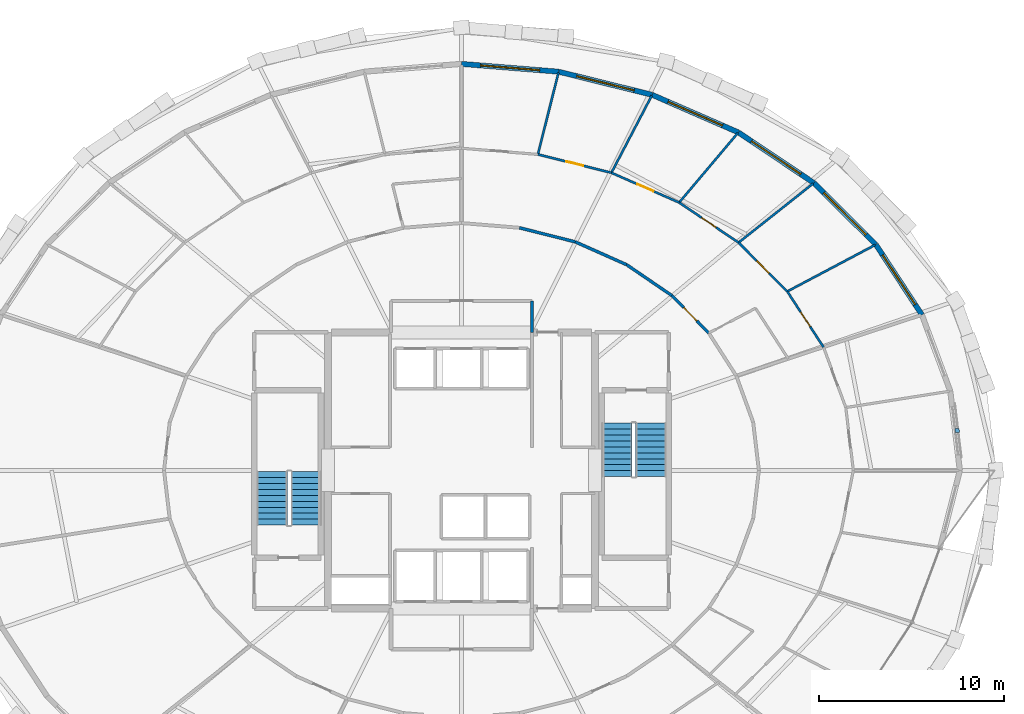
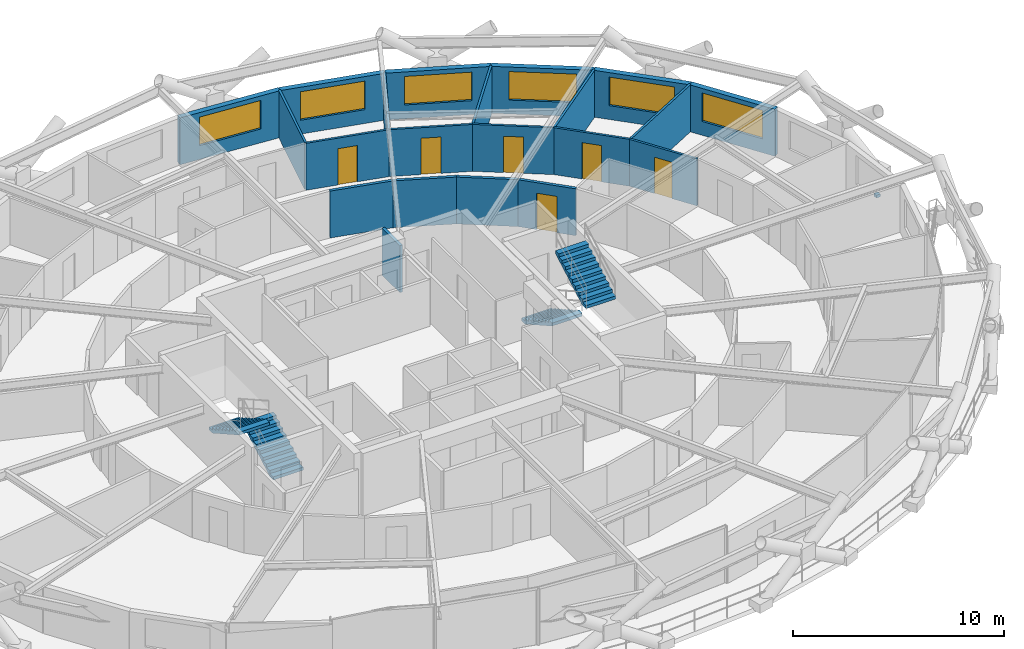
# One storey, part 18 of 21: 21 walls, 6 doors, 6 windows, 4 stair flights, 1 discrete accessory, 12 openings, 2 elements without a shape of their own.
"""IFC4 building model written with IfcOpenShell, lengths in metres."""

from ifc_helpers import new_model, si_unit, direction, frame, frame_2d, origin, origin_2d, place, context, subcontext, project, spatial, polyline, rectangle, outline, extrude, material, layer, layer_set, type_object, element, fill, aggregate, save


model = new_model("IFC4")

# Units and contexts
model_context = context("Model", 3, precision=1e-05, world=origin(), true_north=direction((0.0, 1.0)))
body_context = subcontext(model_context, "Body", "Model", "MODEL_VIEW")
ifc_project = project(units=[si_unit("LENGTHUNIT", "METRE"), si_unit("AREAUNIT", "SQUARE_METRE"), si_unit("VOLUMEUNIT", "CUBIC_METRE"), si_unit("PLANEANGLEUNIT", "RADIAN"), si_unit("MASSUNIT", "GRAM", prefix="KILO")], contexts=[model_context])

# Site, building, storey
site_placement = place(None, origin())
site = spatial("IfcSite", under=ifc_project, at=site_placement, CompositionType="ELEMENT")
building_placement = place(site_placement, origin())
building = spatial("IfcBuilding", under=site, at=building_placement, Name="Veldorina Hangang Commons", CompositionType="ELEMENT")
storey_placement = place(building_placement, frame((0.0, 0.0, 98.800048828125)))
storey = spatial("IfcBuildingStorey", under=building, at=storey_placement, Name="L25", CompositionType="ELEMENT", Elevation=98.800048828125)

# Wall, opening, window
ifc_material_1 = material(Name="Stone Roman Travertine", Category="masonry")
ifc_layer_1 = layer(ifc_material_1, 0.280029296875)
ifc_layer_set_1 = layer_set([ifc_layer_1], Name="Stone Roman Travertine")
wall_type_1 = type_object("IfcWallType", Name="EW-TRAV-280", PredefinedType="STANDARD", material=ifc_layer_set_1)
wall_1_placement = place(storey_placement, frame((56.84765625, 32.3955078125, 0.0), z_axis=(0.0, 0.0, 1.0), x_axis=(-0.548073017765, 0.836430491552, 0.0)))
wall_1 = element("IfcWall", 1, at=wall_1_placement, inside=storey, type_object=wall_type_1, Name="L25 travertine facade wall 02", PredefinedType="STANDARD", context=body_context, shape_type="SweptSolid", body=[
    extrude(rectangle(XDim=4.53466796875, YDim=0.280029296875, at=frame_2d((2.267333984375, 0.0))), origin(), (0.0, 0.0, 1.0), 2.7099609375),
])
opening_1_placement = place(wall_1_placement, frame((0.667236328125, 0.0, 0.800048828125)))
opening_1 = element("IfcOpeningElement", 2, at=opening_1_placement, cuts=wall_1, Name="Opening W-01", PredefinedType="OPENING", context=body_context, shape_type="SweptSolid", body=[
    extrude(rectangle(XDim=3.199951171875, YDim=1.64990234375, at=frame_2d((1.60009765625, 0.824951171875))), frame((0.0, 0.14990234375, 0.0), z_axis=(0.0, -1.0, 0.0), x_axis=(1.0, 0.0, 0.0)), (0.0, 0.0, 1.0), 0.300048828125),
])
ifc_material_2 = material(Name="Glass Low-E Triple IGU", Category="glass")
window_type = type_object("IfcWindowType", Name="WIN-TWR-3200", PartitioningType="SINGLE_PANEL", PredefinedType="WINDOW", material=ifc_material_2)
window_1_placement = place(opening_1_placement, origin())
window_1 = element("IfcWindow", 3, at=window_1_placement, inside=storey, type_object=window_type, Name="L25 facade window 02", OverallHeight=1.64990234375, OverallWidth=3.199951171875, PartitioningType="SINGLE_PANEL", PredefinedType="WINDOW", context=body_context, shape_type="SweptSolid", body=[
    extrude(rectangle(XDim=3.199951171875, YDim=1.64990234375, at=frame_2d((1.60009765625, 0.824951171875))), frame((0.0, 0.030029296875, 0.0), z_axis=(0.0, -1.0, 0.0), x_axis=(1.0, 0.0, 0.0)), (0.0, 0.0, 1.0), 0.06005859375),
])
fill(opening_1, window_1)

wall_2_placement = place(storey_placement, frame((54.3623046875, 36.1884765625, 0.0), z_axis=(0.0, 0.0, 1.0), x_axis=(-0.709251981277, 0.704955053216, 0.0)))
wall_2 = element("IfcWall", 4, at=wall_2_placement, inside=storey, type_object=wall_type_1, Name="L25 travertine facade wall 03", PredefinedType="STANDARD", context=body_context, shape_type="SweptSolid", body=[
    extrude(rectangle(XDim=4.7158203125, YDim=0.280029296875, at=frame_2d((2.35791015625, 0.0))), origin(), (0.0, 0.0, 1.0), 2.7099609375),
])
opening_2_placement = place(wall_2_placement, frame((0.758056640625, 0.0, 0.800048828125)))
opening_2 = element("IfcOpeningElement", 5, at=opening_2_placement, cuts=wall_2, Name="Opening W-01", PredefinedType="OPENING", context=body_context, shape_type="SweptSolid", body=[
    extrude(rectangle(XDim=3.199951171875, YDim=1.64990234375, at=frame_2d((1.60009765625, 0.824951171875))), frame((0.0, 0.14990234375, 0.0), z_axis=(0.0, -1.0, 0.0), x_axis=(1.0, 0.0, 0.0)), (0.0, 0.0, 1.0), 0.300048828125),
])
window_2_placement = place(opening_2_placement, origin())
window_2 = element("IfcWindow", 6, at=window_2_placement, inside=storey, type_object=window_type, Name="L25 facade window 03", OverallHeight=1.64990234375, OverallWidth=3.199951171875, PartitioningType="SINGLE_PANEL", PredefinedType="WINDOW", context=body_context, shape_type="SweptSolid", body=[
    extrude(rectangle(XDim=3.199951171875, YDim=1.64990234375, at=frame_2d((1.60009765625, 0.824951171875))), frame((0.0, 0.030029296875, 0.0), z_axis=(0.0, -1.0, 0.0), x_axis=(1.0, 0.0, 0.0)), (0.0, 0.0, 1.0), 0.06005859375),
])
fill(opening_2, window_2)

wall_3_placement = place(storey_placement, frame((51.017578125, 39.512939453125, 0.0), z_axis=(0.0, 0.0, 1.0), x_axis=(-0.83098422739, 0.556295976822, 0.0)))
wall_3 = element("IfcWall", 7, at=wall_3_placement, inside=storey, type_object=wall_type_1, Name="L25 travertine facade wall 04", PredefinedType="STANDARD", context=body_context, shape_type="SweptSolid", body=[
    extrude(rectangle(XDim=4.904296875, YDim=0.280029296875, at=frame_2d((2.4521484375, 0.0))), origin(), (0.0, 0.0, 1.0), 2.7099609375),
])
opening_3_placement = place(wall_3_placement, frame((0.852294921875, 0.0, 0.800048828125)))
opening_3 = element("IfcOpeningElement", 8, at=opening_3_placement, cuts=wall_3, Name="Opening W-01", PredefinedType="OPENING", context=body_context, shape_type="SweptSolid", body=[
    extrude(rectangle(XDim=3.199951171875, YDim=1.64990234375, at=frame_2d((1.60009765625, 0.824951171875))), frame((0.0, 0.14990234375, 0.0), z_axis=(0.0, -1.0, 0.0), x_axis=(1.0, 0.0, 0.0)), (0.0, 0.0, 1.0), 0.300048828125),
])
window_3_placement = place(opening_3_placement, origin())
window_3 = element("IfcWindow", 9, at=window_3_placement, inside=storey, type_object=window_type, Name="L25 facade window 04", OverallHeight=1.64990234375, OverallWidth=3.199951171875, PartitioningType="SINGLE_PANEL", PredefinedType="WINDOW", context=body_context, shape_type="SweptSolid", body=[
    extrude(rectangle(XDim=3.199951171875, YDim=1.64990234375, at=frame_2d((1.60009765625, 0.824951171875))), frame((0.0, 0.030029296875, 0.0), z_axis=(0.0, -1.0, 0.0), x_axis=(1.0, 0.0, 0.0)), (0.0, 0.0, 1.0), 0.06005859375),
])
fill(opening_3, window_3)

wall_4_placement = place(storey_placement, frame((46.942138671875, 42.2412109375, 0.0), z_axis=(0.0, 0.0, 1.0), x_axis=(-0.9166625106, 0.399662159405, 0.0)))
wall_4 = element("IfcWall", 10, at=wall_4_placement, inside=storey, type_object=wall_type_1, Name="L25 travertine facade wall 05", PredefinedType="STANDARD", context=body_context, shape_type="SweptSolid", body=[
    extrude(rectangle(XDim=5.07275390625, YDim=0.280029296875, at=frame_2d((2.536376953125, 0.0))), origin(), (0.0, 0.0, 1.0), 2.7099609375),
])
opening_4_placement = place(wall_4_placement, frame((0.936279296875, 0.0, 0.800048828125)))
opening_4 = element("IfcOpeningElement", 11, at=opening_4_placement, cuts=wall_4, Name="Opening W-01", PredefinedType="OPENING", context=body_context, shape_type="SweptSolid", body=[
    extrude(rectangle(XDim=3.199951171875, YDim=1.64990234375, at=frame_2d((1.60009765625, 0.824951171875))), frame((0.0, 0.14990234375, 0.0), z_axis=(0.0, -1.0, 0.0), x_axis=(1.0, 0.0, 0.0)), (0.0, 0.0, 1.0), 0.300048828125),
])
window_4_placement = place(opening_4_placement, origin())
window_4 = element("IfcWindow", 12, at=window_4_placement, inside=storey, type_object=window_type, Name="L25 facade window 05", OverallHeight=1.64990234375, OverallWidth=3.199951171875, PartitioningType="SINGLE_PANEL", PredefinedType="WINDOW", context=body_context, shape_type="SweptSolid", body=[
    extrude(rectangle(XDim=3.199951171875, YDim=1.64990234375, at=frame_2d((1.60009765625, 0.824951171875))), frame((0.0, 0.030029296875, 0.0), z_axis=(0.0, -1.0, 0.0), x_axis=(1.0, 0.0, 0.0)), (0.0, 0.0, 1.0), 0.06005859375),
])
fill(opening_4, window_4)

wall_5_placement = place(storey_placement, frame((42.292236328125, 44.2685546875, 0.0), z_axis=(0.0, 0.0, 1.0), x_axis=(-0.970717253555, 0.240224923043, 0.0)))
wall_5 = element("IfcWall", 13, at=wall_5_placement, inside=storey, type_object=wall_type_1, Name="L25 travertine facade wall 06", PredefinedType="STANDARD", context=body_context, shape_type="SweptSolid", body=[
    extrude(rectangle(XDim=5.197265625, YDim=0.280029296875, at=frame_2d((2.5986328125, 0.0))), origin(), (0.0, 0.0, 1.0), 2.7099609375),
])
opening_5_placement = place(wall_5_placement, frame((0.998779296875, 0.0, 0.800048828125)))
opening_5 = element("IfcOpeningElement", 14, at=opening_5_placement, cuts=wall_5, Name="Opening W-01", PredefinedType="OPENING", context=body_context, shape_type="SweptSolid", body=[
    extrude(rectangle(XDim=3.199951171875, YDim=1.64990234375, at=frame_2d((1.60009765625, 0.824951171875))), frame((0.0, 0.14990234375, 0.0), z_axis=(0.0, -1.0, 0.0), x_axis=(1.0, 0.0, 0.0)), (0.0, 0.0, 1.0), 0.300048828125),
])
window_5_placement = place(opening_5_placement, origin())
window_5 = element("IfcWindow", 15, at=window_5_placement, inside=storey, type_object=window_type, Name="L25 facade window 06", OverallHeight=1.64990234375, OverallWidth=3.199951171875, PartitioningType="SINGLE_PANEL", PredefinedType="WINDOW", context=body_context, shape_type="SweptSolid", body=[
    extrude(rectangle(XDim=3.199951171875, YDim=1.64990234375, at=frame_2d((1.60009765625, 0.824951171875))), frame((0.0, 0.030029296875, 0.0), z_axis=(0.0, -1.0, 0.0), x_axis=(1.0, 0.0, 0.0)), (0.0, 0.0, 1.0), 0.06005859375),
])
fill(opening_5, window_5)

wall_6_placement = place(storey_placement, frame((37.2470703125, 45.51708984375, 0.0), z_axis=(0.0, 0.0, 1.0), x_axis=(-0.996790751388, 0.080051220775, 0.0)))
wall_6 = element("IfcWall", 16, at=wall_6_placement, inside=storey, type_object=wall_type_1, Name="L25 travertine facade wall 07", PredefinedType="STANDARD", context=body_context, shape_type="SweptSolid", body=[
    extrude(rectangle(XDim=5.263916015625, YDim=0.280029296875, at=frame_2d((2.6318359375, 0.0))), origin(), (0.0, 0.0, 1.0), 2.7099609375),
])
opening_6_placement = place(wall_6_placement, frame((1.031982421875, 0.0, 0.800048828125)))
opening_6 = element("IfcOpeningElement", 17, at=opening_6_placement, cuts=wall_6, Name="Opening W-01", PredefinedType="OPENING", context=body_context, shape_type="SweptSolid", body=[
    extrude(rectangle(XDim=3.199951171875, YDim=1.64990234375, at=frame_2d((1.60009765625, 0.824951171875))), frame((0.0, 0.14990234375, 0.0), z_axis=(0.0, -1.0, 0.0), x_axis=(1.0, 0.0, 0.0)), (0.0, 0.0, 1.0), 0.300048828125),
])
window_6_placement = place(opening_6_placement, origin())
window_6 = element("IfcWindow", 18, at=window_6_placement, inside=storey, type_object=window_type, Name="L25 facade window 07", OverallHeight=1.64990234375, OverallWidth=3.199951171875, PartitioningType="SINGLE_PANEL", PredefinedType="WINDOW", context=body_context, shape_type="SweptSolid", body=[
    extrude(rectangle(XDim=3.199951171875, YDim=1.64990234375, at=frame_2d((1.60009765625, 0.824951171875))), frame((0.0, 0.030029296875, 0.0), z_axis=(0.0, -1.0, 0.0), x_axis=(1.0, 0.0, 0.0)), (0.0, 0.0, 1.0), 0.06005859375),
])
fill(opening_6, window_6)

# Wall
ifc_material_3 = material(Name="Gypsum Fire-Rated Twin Stud Wall", Category="gypsum")
ifc_layer_2 = layer(ifc_material_3, 0.159912109375)
ifc_layer_set_2 = layer_set([ifc_layer_2], Name="Gypsum Fire-Rated Twin Stud Wall")
wall_type_2 = type_object("IfcWallType", Name="WL-FIRE-160", PredefinedType="SOLIDWALL", material=ifc_layer_set_2)
wall_7_placement = place(storey_placement, frame((35.800048828125, 31.449951171875, 0.0), z_axis=(0.0, 0.0, 1.0), x_axis=(0.0, 1.0, 0.0)))
element("IfcWall", 19, at=wall_7_placement, inside=storey, type_object=wall_type_2, Name="L25 North lobby east wall 033", PredefinedType="SOLIDWALL", context=body_context, shape_type="SweptSolid", body=[
    extrude(rectangle(XDim=1.699951171875, YDim=0.159912109375, at=frame_2d((0.85009765625, 0.0))), origin(), (0.0, 0.0, 1.0), 2.7099609375),
])

# Wall, opening, door
wall_8_placement = place(storey_placement, frame((45.34521484375, 31.4169921875, 0.0), z_axis=(0.0, 0.0, 1.0), x_axis=(-0.702366174226, 0.711815816981, 0.0)))
wall_8 = element("IfcWall", 20, at=wall_8_placement, inside=storey, type_object=wall_type_2, Name="L25 Corridor outer wall 03 048", PredefinedType="SOLIDWALL", context=body_context, shape_type="SweptSolid", body=[
    extrude(rectangle(XDim=2.842041015625, YDim=0.159912109375, at=frame_2d((1.4208984375, 0.0))), origin(), (0.0, 0.0, 1.0), 2.7099609375),
])
opening_7_placement = place(wall_8_placement, frame((0.9208984375, 0.0, 0.0)))
opening_7 = element("IfcOpeningElement", 21, at=opening_7_placement, cuts=wall_8, Name="Opening D-06", PredefinedType="OPENING", context=body_context, shape_type="SweptSolid", body=[
    extrude(rectangle(XDim=1.0, YDim=2.10009765625, at=frame_2d((0.5, 1.050048828125))), frame((0.0, 0.08984375, 0.0), z_axis=(0.0, -1.0, 0.0), x_axis=(1.0, 0.0, 0.0)), (0.0, 0.0, 1.0), 0.179931640625),
])
ifc_material_4 = material(Name="Timber Fire-Rated Entrance Core", Category="wood")
door_type_1 = type_object("IfcDoorType", Name="DR-UNIT-1000", OperationType="SINGLE_SWING_LEFT", PredefinedType="DOOR", material=ifc_material_4)
door_1_placement = place(opening_7_placement, origin())
door_1 = element("IfcDoor", 22, at=door_1_placement, inside=storey, type_object=door_type_1, Name="L25 Cluster 3 entrance door 028", OperationType="SINGLE_SWING_RIGHT", OverallHeight=2.10009765625, OverallWidth=1.0, PredefinedType="DOOR", context=body_context, shape_type="SweptSolid", body=[
    extrude(rectangle(XDim=1.0, YDim=2.10009765625, at=frame_2d((0.5, 1.050048828125))), frame((0.0, 0.02490234375, 0.0), z_axis=(0.0, -1.0, 0.0), x_axis=(1.0, 0.0, 0.0)), (0.0, 0.0, 1.0), 0.050048828125),
])
fill(opening_7, door_1)

# Walls
wall_9_placement = place(storey_placement, frame((43.34912109375, 33.43994140625, 0.0), z_axis=(0.0, 0.0, 1.0), x_axis=(-0.825929039072, 0.563774088104, 0.0)))
element("IfcWall", 23, at=wall_9_placement, inside=storey, type_object=wall_type_2, Name="L25 Corridor outer wall 04 049", PredefinedType="SOLIDWALL", context=body_context, shape_type="SweptSolid", body=[
    extrude(rectangle(XDim=2.94482421875, YDim=0.159912109375, at=frame_2d((1.472412109375, 0.0))), origin(), (0.0, 0.0, 1.0), 2.7099609375),
])
wall_10_placement = place(storey_placement, frame((40.9169921875, 35.10009765625, 0.0), z_axis=(0.0, 0.0, 1.0), x_axis=(-0.913768445178, 0.406235434936, 0.0)))
element("IfcWall", 24, at=wall_10_placement, inside=storey, type_object=wall_type_2, Name="L25 Corridor outer wall 05 050", PredefinedType="SOLIDWALL", context=body_context, shape_type="SweptSolid", body=[
    extrude(rectangle(XDim=3.036865234375, YDim=0.159912109375, at=frame_2d((1.5185546875, 0.0))), origin(), (0.0, 0.0, 1.0), 2.7099609375),
])
wall_11_placement = place(storey_placement, frame((38.14208984375, 36.333740234375, 0.0), z_axis=(0.0, 0.0, 1.0), x_axis=(-0.969608333194, 0.244662380029, 0.0)))
element("IfcWall", 25, at=wall_11_placement, inside=storey, type_object=wall_type_2, Name="L25 Corridor outer wall 06 051", PredefinedType="SOLIDWALL", context=body_context, shape_type="SweptSolid", body=[
    extrude(rectangle(XDim=3.10546875, YDim=0.159912109375, at=frame_2d((1.552734375, 0.0))), origin(), (0.0, 0.0, 1.0), 2.7099609375),
])

# Wall, opening, door
ifc_material_5 = material(Name="Gypsum Acoustic Stud Partition", Category="gypsum")
ifc_layer_3 = layer(ifc_material_5, 0.1201171875)
ifc_layer_set_3 = layer_set([ifc_layer_3], Name="Gypsum Acoustic Stud Partition")
wall_type_3 = type_object("IfcWallType", Name="WL-PART-120", PredefinedType="PARTITIONING", material=ifc_layer_set_3)
wall_12_placement = place(storey_placement, frame((51.537353515625, 30.653564453125, 0.0), z_axis=(0.0, 0.0, 1.0), x_axis=(-0.545045794667, 0.838406274855, 0.0)))
wall_12 = element("IfcWall", 26, at=wall_12_placement, inside=storey, type_object=wall_type_3, Name="L25 Cluster 3 bed 1 front wall 099", PredefinedType="PARTITIONING", context=body_context, shape_type="SweptSolid", body=[
    extrude(rectangle(XDim=3.585205078125, YDim=0.1201171875, at=frame_2d((1.79248046875, 0.0))), origin(), (0.0, 0.0, 1.0), 2.7099609375),
])
opening_8_placement = place(wall_12_placement, frame((1.317626953125, 0.0, 0.0)))
opening_8 = element("IfcOpeningElement", 27, at=opening_8_placement, cuts=wall_12, Name="Opening D-02", PredefinedType="OPENING", context=body_context, shape_type="SweptSolid", body=[
    extrude(rectangle(XDim=0.949951171875, YDim=2.10009765625, at=frame_2d((0.47509765625, 1.050048828125))), frame((0.0, 0.070068359375, 0.0), z_axis=(0.0, -1.0, 0.0), x_axis=(1.0, 0.0, 0.0)), (0.0, 0.0, 1.0), 0.14013671875),
])
ifc_material_6 = material(Name="Timber Solid Core Acoustic", Category="wood")
door_type_2 = type_object("IfcDoorType", Name="DR-INT-950", OperationType="SINGLE_SWING_LEFT", PredefinedType="DOOR", material=ifc_material_6)
door_2_placement = place(opening_8_placement, origin())
door_2 = element("IfcDoor", 28, at=door_2_placement, inside=storey, type_object=door_type_2, Name="L25 Cluster 3 bed 1 door 029", OperationType="SINGLE_SWING_LEFT", OverallHeight=2.10009765625, OverallWidth=0.949951171875, PredefinedType="DOOR", context=body_context, shape_type="SweptSolid", body=[
    extrude(rectangle(XDim=0.949951171875, YDim=2.10009765625, at=frame_2d((0.47509765625, 1.050048828125))), frame((0.0, 0.02490234375, 0.0), z_axis=(0.0, -1.0, 0.0), x_axis=(1.0, 0.0, 0.0)), (0.0, 0.0, 1.0), 0.050048828125),
])
fill(opening_8, door_2)

wall_13_placement = place(storey_placement, frame((49.583251953125, 33.659423828125, 0.0), z_axis=(0.0, 0.0, 1.0), x_axis=(-0.706450655804, 0.707762298314, 0.0)))
wall_13 = element("IfcWall", 29, at=wall_13_placement, inside=storey, type_object=wall_type_3, Name="L25 Cluster 3 bed 2 front wall 100", PredefinedType="PARTITIONING", context=body_context, shape_type="SweptSolid", body=[
    extrude(rectangle(XDim=3.72265625, YDim=0.1201171875, at=frame_2d((1.861328125, 0.0))), origin(), (0.0, 0.0, 1.0), 2.7099609375),
])
opening_9_placement = place(wall_13_placement, frame((1.38623046875, 0.0, 0.0)))
opening_9 = element("IfcOpeningElement", 30, at=opening_9_placement, cuts=wall_13, Name="Opening D-02", PredefinedType="OPENING", context=body_context, shape_type="SweptSolid", body=[
    extrude(rectangle(XDim=0.949951171875, YDim=2.10009765625, at=frame_2d((0.47509765625, 1.050048828125))), frame((0.0, 0.070068359375, 0.0), z_axis=(0.0, -1.0, 0.0), x_axis=(1.0, 0.0, 0.0)), (0.0, 0.0, 1.0), 0.14013671875),
])
door_3_placement = place(opening_9_placement, origin())
door_3 = element("IfcDoor", 31, at=door_3_placement, inside=storey, type_object=door_type_2, Name="L25 Cluster 3 bed 2 door 030", OperationType="SINGLE_SWING_RIGHT", OverallHeight=2.10009765625, OverallWidth=0.949951171875, PredefinedType="DOOR", context=body_context, shape_type="SweptSolid", body=[
    extrude(rectangle(XDim=0.949951171875, YDim=2.10009765625, at=frame_2d((0.47509765625, 1.050048828125))), frame((0.0, 0.02490234375, 0.0), z_axis=(0.0, -1.0, 0.0), x_axis=(1.0, 0.0, 0.0)), (0.0, 0.0, 1.0), 0.050048828125),
])
fill(opening_9, door_3)

# Wall
wall_14_placement = place(storey_placement, frame((49.583251953125, 33.659423828125, 0.0), z_axis=(0.0, 0.0, 1.0), x_axis=(0.883871044987, 0.467730665912, 0.0)))
element("IfcWall", 32, at=wall_14_placement, inside=storey, type_object=wall_type_3, Name="L25 Cluster 3 bed divider 1 101", PredefinedType="PARTITIONING", context=body_context, shape_type="SweptSolid", body=[
    extrude(rectangle(XDim=5.35693359375, YDim=0.1201171875, at=frame_2d((2.678466796875, 0.0))), origin(), (0.0, 0.0, 1.0), 2.7099609375),
])

# Wall, opening, door
wall_15_placement = place(storey_placement, frame((46.953369140625, 36.294189453125, 0.0), z_axis=(0.0, 0.0, 1.0), x_axis=(-0.828967263528, 0.559297126757, 0.0)))
wall_15 = element("IfcWall", 33, at=wall_15_placement, inside=storey, type_object=wall_type_3, Name="L25 Cluster 3 bed 3 front wall 102", PredefinedType="PARTITIONING", context=body_context, shape_type="SweptSolid", body=[
    extrude(rectangle(XDim=3.86572265625, YDim=0.1201171875, at=frame_2d((1.932861328125, 0.0))), origin(), (0.0, 0.0, 1.0), 2.7099609375),
])
opening_10_placement = place(wall_15_placement, frame((1.4580078125, 0.0, 0.0)))
opening_10 = element("IfcOpeningElement", 34, at=opening_10_placement, cuts=wall_15, Name="Opening D-02", PredefinedType="OPENING", context=body_context, shape_type="SweptSolid", body=[
    extrude(rectangle(XDim=0.949951171875, YDim=2.10009765625, at=frame_2d((0.47509765625, 1.050048828125))), frame((0.0, 0.070068359375, 0.0), z_axis=(0.0, -1.0, 0.0), x_axis=(1.0, 0.0, 0.0)), (0.0, 0.0, 1.0), 0.14013671875),
])
door_4_placement = place(opening_10_placement, origin())
door_4 = element("IfcDoor", 35, at=door_4_placement, inside=storey, type_object=door_type_2, Name="L25 Cluster 3 bed 3 door 031", OperationType="SINGLE_SWING_LEFT", OverallHeight=2.10009765625, OverallWidth=0.949951171875, PredefinedType="DOOR", context=body_context, shape_type="SweptSolid", body=[
    extrude(rectangle(XDim=0.949951171875, YDim=2.10009765625, at=frame_2d((0.47509765625, 1.050048828125))), frame((0.0, 0.02490234375, 0.0), z_axis=(0.0, -1.0, 0.0), x_axis=(1.0, 0.0, 0.0)), (0.0, 0.0, 1.0), 0.050048828125),
])
fill(opening_10, door_4)

# Wall
wall_16_placement = place(storey_placement, frame((46.953369140625, 36.294189453125, 0.0), z_axis=(0.0, 0.0, 1.0), x_axis=(0.783934932715, 0.620842992446, 0.0)))
element("IfcWall", 36, at=wall_16_placement, inside=storey, type_object=wall_type_3, Name="L25 Cluster 3 bed divider 2 103", PredefinedType="PARTITIONING", context=body_context, shape_type="SweptSolid", body=[
    extrude(rectangle(XDim=5.134521484375, YDim=0.1201171875, at=frame_2d((2.5673828125, 0.0))), origin(), (0.0, 0.0, 1.0), 2.7099609375),
])

# Wall, opening, door
wall_17_placement = place(storey_placement, frame((43.748779296875, 38.456298828125, 0.0), z_axis=(0.0, 0.0, 1.0), x_axis=(-0.915495231318, 0.402328822524, 0.0)))
wall_17 = element("IfcWall", 37, at=wall_17_placement, inside=storey, type_object=wall_type_3, Name="L25 Cluster 3 bed 4 front wall 104", PredefinedType="PARTITIONING", context=body_context, shape_type="SweptSolid", body=[
    extrude(rectangle(XDim=3.993408203125, YDim=0.1201171875, at=frame_2d((1.99658203125, 0.0))), origin(), (0.0, 0.0, 1.0), 2.7099609375),
])
opening_11_placement = place(wall_17_placement, frame((1.521728515625, 0.0, 0.0)))
opening_11 = element("IfcOpeningElement", 38, at=opening_11_placement, cuts=wall_17, Name="Opening D-02", PredefinedType="OPENING", context=body_context, shape_type="SweptSolid", body=[
    extrude(rectangle(XDim=0.949951171875, YDim=2.10009765625, at=frame_2d((0.47509765625, 1.050048828125))), frame((0.0, 0.070068359375, 0.0), z_axis=(0.0, -1.0, 0.0), x_axis=(1.0, 0.0, 0.0)), (0.0, 0.0, 1.0), 0.14013671875),
])
door_5_placement = place(opening_11_placement, origin())
door_5 = element("IfcDoor", 39, at=door_5_placement, inside=storey, type_object=door_type_2, Name="L25 Cluster 3 bed 4 door 032", OperationType="SINGLE_SWING_RIGHT", OverallHeight=2.10009765625, OverallWidth=0.949951171875, PredefinedType="DOOR", context=body_context, shape_type="SweptSolid", body=[
    extrude(rectangle(XDim=0.949951171875, YDim=2.10009765625, at=frame_2d((0.47509765625, 1.050048828125))), frame((0.0, 0.02490234375, 0.0), z_axis=(0.0, -1.0, 0.0), x_axis=(1.0, 0.0, 0.0)), (0.0, 0.0, 1.0), 0.050048828125),
])
fill(opening_11, door_5)

# Wall
wall_18_placement = place(storey_placement, frame((43.748779296875, 38.456298828125, 0.0), z_axis=(0.0, 0.0, 1.0), x_axis=(0.644865484306, 0.764296086049, 0.0)))
element("IfcWall", 40, at=wall_18_placement, inside=storey, type_object=wall_type_3, Name="L25 Cluster 3 bed divider 3 105", PredefinedType="PARTITIONING", context=body_context, shape_type="SweptSolid", body=[
    extrude(rectangle(XDim=4.902099609375, YDim=0.1201171875, at=frame_2d((2.451171875, 0.0))), origin(), (0.0, 0.0, 1.0), 2.7099609375),
])

# Wall, opening, door
wall_19_placement = place(storey_placement, frame((40.0927734375, 40.06298828125, 0.0), z_axis=(0.0, 0.0, 1.0), x_axis=(-0.970275821055, 0.242001717092, 0.0)))
wall_19 = element("IfcWall", 41, at=wall_19_placement, inside=storey, type_object=wall_type_3, Name="L25 Cluster 3 bed 5 front wall 106", PredefinedType="PARTITIONING", context=body_context, shape_type="SweptSolid", body=[
    extrude(rectangle(XDim=4.0888671875, YDim=0.1201171875, at=frame_2d((2.04443359375, 0.0))), origin(), (0.0, 0.0, 1.0), 2.7099609375),
])
opening_12_placement = place(wall_19_placement, frame((1.5693359375, 0.0, 0.0)))
opening_12 = element("IfcOpeningElement", 42, at=opening_12_placement, cuts=wall_19, Name="Opening D-02", PredefinedType="OPENING", context=body_context, shape_type="SweptSolid", body=[
    extrude(rectangle(XDim=0.949951171875, YDim=2.10009765625, at=frame_2d((0.47509765625, 1.050048828125))), frame((0.0, 0.070068359375, 0.0), z_axis=(0.0, -1.0, 0.0), x_axis=(1.0, 0.0, 0.0)), (0.0, 0.0, 1.0), 0.14013671875),
])
door_6_placement = place(opening_12_placement, origin())
door_6 = element("IfcDoor", 43, at=door_6_placement, inside=storey, type_object=door_type_2, Name="L25 Cluster 3 bed 5 door 033", OperationType="SINGLE_SWING_LEFT", OverallHeight=2.10009765625, OverallWidth=0.949951171875, PredefinedType="DOOR", context=body_context, shape_type="SweptSolid", body=[
    extrude(rectangle(XDim=0.949951171875, YDim=2.10009765625, at=frame_2d((0.47509765625, 1.050048828125))), frame((0.0, 0.02490234375, 0.0), z_axis=(0.0, -1.0, 0.0), x_axis=(1.0, 0.0, 0.0)), (0.0, 0.0, 1.0), 0.050048828125),
])
fill(opening_12, door_6)

# Walls
wall_20_placement = place(storey_placement, frame((40.0927734375, 40.06298828125, 0.0), z_axis=(0.0, 0.0, 1.0), x_axis=(0.463443515986, 0.886126462471, 0.0)))
element("IfcWall", 44, at=wall_20_placement, inside=storey, type_object=wall_type_3, Name="L25 Cluster 3 bed divider 4 107", PredefinedType="PARTITIONING", context=body_context, shape_type="SweptSolid", body=[
    extrude(rectangle(XDim=4.69580078125, YDim=0.1201171875, at=frame_2d((2.347900390625, 0.0))), origin(), (0.0, 0.0, 1.0), 2.7099609375),
])
wall_21_placement = place(storey_placement, frame((36.12548828125, 41.052490234375, 0.0), z_axis=(0.0, 0.0, 1.0), x_axis=(0.243645699313, 0.969864306595, 0.0)))
element("IfcWall", 45, at=wall_21_placement, inside=storey, type_object=wall_type_3, Name="L25 Cluster 3 bed divider 5 109", PredefinedType="PARTITIONING", context=body_context, shape_type="SweptSolid", body=[
    extrude(rectangle(XDim=4.55322265625, YDim=0.1201171875, at=frame_2d((2.276611328125, 0.0))), origin(), (0.0, 0.0, 1.0), 2.7099609375),
])

# Stair, stair flights
ifc_material_7 = material(Name="Concrete C40/50", Category="concrete")
stair_type = type_object("IfcStairType", Name="STR-DOG-1650-20R", PredefinedType="HALF_TURN_STAIR", material=ifc_material_7)
stair_1_placement = place(storey_placement, origin())
stair_1 = element("IfcStair", 46, at=stair_1_placement, inside=storey, type_object=stair_type, Name="L25 Exit stair ST-1", PredefinedType="HALF_TURN_STAIR")
stair_flight_type = type_object("IfcStairFlightType", Name="SFL-STR-1650-20R", PredefinedType="STRAIGHT", material=ifc_material_7)
stair_flight_1_placement = place(storey_placement, frame((23.625, 21.050048828125, 0.0), z_axis=(0.0, 0.0, 1.0), x_axis=(0.0, 1.0, 0.0)))
stair_flight_1 = element("IfcStairFlight", 47, at=stair_flight_1_placement, type_object=stair_flight_type, Name="ST-1 flight 1", NumberOfRisers=10, NumberOfTreads=9, PredefinedType="STRAIGHT", RiserHeight=0.18, TreadLength=0.32, context=body_context, shape_type="SweptSolid", body=[
    extrude(outline(polyline([(0.0, 0.0), (0.0, 0.179931640625), (0.320068359375, 0.179931640625), (0.320068359375, 0.360107421875), (0.639892578125, 0.360107421875), (0.639892578125, 0.5400390625), (0.9599609375, 0.5400390625), (0.9599609375, 0.719970703125), (1.280029296875, 0.719970703125), (1.280029296875, 0.89990234375), (1.60009765625, 0.89990234375), (1.60009765625, 1.080078125), (1.919921875, 1.080078125), (1.919921875, 1.260009765625), (2.239990234375, 1.260009765625), (2.239990234375, 1.43994140625), (2.56005859375, 1.43994140625), (2.56005859375, 1.6201171875), (2.8798828125, 1.6201171875), (2.8798828125, 1.800048828125), (2.8798828125, 1.447998046875), (0.3056640625, 0.0), (0.0, 0.0)])), frame((0.0, 0.824951171875, 0.0), z_axis=(0.0, -1.0, 0.0), x_axis=(1.0, 0.0, 0.0)), (0.0, 0.0, 1.0), 1.64990234375),
])
stair_flight_2_placement = place(storey_placement, frame((21.77490234375, 23.929931640625, 1.800048828125), z_axis=(0.0, 0.0, 1.0), x_axis=(0.0, -1.0, 0.0)))
stair_flight_2 = element("IfcStairFlight", 48, at=stair_flight_2_placement, type_object=stair_flight_type, Name="ST-1 flight 2", NumberOfRisers=10, NumberOfTreads=9, PredefinedType="STRAIGHT", RiserHeight=0.18, TreadLength=0.32, context=body_context, shape_type="SweptSolid", body=[
    extrude(outline(polyline([(0.0, 0.0), (0.0, 0.179931640625), (0.320068359375, 0.179931640625), (0.320068359375, 0.360107421875), (0.639892578125, 0.360107421875), (0.639892578125, 0.5400390625), (0.9599609375, 0.5400390625), (0.9599609375, 0.719970703125), (1.280029296875, 0.719970703125), (1.280029296875, 0.89990234375), (1.60009765625, 0.89990234375), (1.60009765625, 1.080078125), (1.919921875, 1.080078125), (1.919921875, 1.260009765625), (2.239990234375, 1.260009765625), (2.239990234375, 1.43994140625), (2.56005859375, 1.43994140625), (2.56005859375, 1.6201171875), (2.8798828125, 1.6201171875), (2.8798828125, 1.800048828125), (2.8798828125, 1.447998046875), (0.3056640625, 0.0), (0.0, 0.0)])), frame((0.0, 0.824951171875, 0.0), z_axis=(0.0, -1.0, 0.0), x_axis=(1.0, 0.0, 0.0)), (0.0, 0.0, 1.0), 1.64990234375),
])
aggregate(stair_1, [stair_flight_1, stair_flight_2])

stair_2_placement = place(storey_placement, origin())
stair_2 = element("IfcStair", 49, at=stair_2_placement, inside=storey, type_object=stair_type, Name="L25 Exit stair ST-2", PredefinedType="HALF_TURN_STAIR")
stair_flight_3_placement = place(storey_placement, frame((40.375, 26.550048828125, 0.0), z_axis=(0.0, 0.0, 1.0), x_axis=(0.0, -1.0, 0.0)))
stair_flight_3 = element("IfcStairFlight", 50, at=stair_flight_3_placement, type_object=stair_flight_type, Name="ST-2 flight 1", NumberOfRisers=10, NumberOfTreads=9, PredefinedType="STRAIGHT", RiserHeight=0.18, TreadLength=0.32, context=body_context, shape_type="SweptSolid", body=[
    extrude(outline(polyline([(0.0, 0.0), (0.0, 0.179931640625), (0.320068359375, 0.179931640625), (0.320068359375, 0.360107421875), (0.639892578125, 0.360107421875), (0.639892578125, 0.5400390625), (0.9599609375, 0.5400390625), (0.9599609375, 0.719970703125), (1.280029296875, 0.719970703125), (1.280029296875, 0.89990234375), (1.60009765625, 0.89990234375), (1.60009765625, 1.080078125), (1.919921875, 1.080078125), (1.919921875, 1.260009765625), (2.239990234375, 1.260009765625), (2.239990234375, 1.43994140625), (2.56005859375, 1.43994140625), (2.56005859375, 1.6201171875), (2.8798828125, 1.6201171875), (2.8798828125, 1.800048828125), (2.8798828125, 1.447998046875), (0.3056640625, 0.0), (0.0, 0.0)])), frame((0.0, 0.824951171875, 0.0), z_axis=(0.0, -1.0, 0.0), x_axis=(1.0, 0.0, 0.0)), (0.0, 0.0, 1.0), 1.64990234375),
])
stair_flight_4_placement = place(storey_placement, frame((42.22509765625, 23.669921875, 1.800048828125), z_axis=(0.0, 0.0, 1.0), x_axis=(0.0, 1.0, 0.0)))
stair_flight_4 = element("IfcStairFlight", 51, at=stair_flight_4_placement, type_object=stair_flight_type, Name="ST-2 flight 2", NumberOfRisers=10, NumberOfTreads=9, PredefinedType="STRAIGHT", RiserHeight=0.18, TreadLength=0.32, context=body_context, shape_type="SweptSolid", body=[
    extrude(outline(polyline([(0.0, 0.0), (0.0, 0.179931640625), (0.320068359375, 0.179931640625), (0.320068359375, 0.360107421875), (0.639892578125, 0.360107421875), (0.639892578125, 0.5400390625), (0.9599609375, 0.5400390625), (0.9599609375, 0.719970703125), (1.280029296875, 0.719970703125), (1.280029296875, 0.89990234375), (1.60009765625, 0.89990234375), (1.60009765625, 1.080078125), (1.919921875, 1.080078125), (1.919921875, 1.260009765625), (2.239990234375, 1.260009765625), (2.239990234375, 1.43994140625), (2.56005859375, 1.43994140625), (2.56005859375, 1.6201171875), (2.8798828125, 1.6201171875), (2.8798828125, 1.800048828125), (2.8798828125, 1.447998046875), (0.3056640625, 0.0), (0.0, 0.0)])), frame((0.0, 0.824951171875, 0.0), z_axis=(0.0, -1.0, 0.0), x_axis=(1.0, 0.0, 0.0)), (0.0, 0.0, 1.0), 1.64990234375),
])
aggregate(stair_2, [stair_flight_3, stair_flight_4])

# Discrete accessory
ifc_material_8 = material(Name="Stainless Steel Brushed 316", Category="steel")
discrete_accessory_type = type_object("IfcDiscreteAccessoryType", Name="BRK-SCR-SS", PredefinedType="BRACKET", material=ifc_material_8)
discrete_accessory_placement = place(storey_placement, frame((58.755615234375, 26.154296875, 0.72021484375), z_axis=(0.0, 0.0, 1.0), x_axis=(-0.119876931456, 0.992788759659, 0.0)))
element("IfcDiscreteAccessory", 52, at=discrete_accessory_placement, inside=storey, type_object=discrete_accessory_type, Name="L25 solar screen support bracket 00", PredefinedType="BRACKET", context=body_context, shape_type="SweptSolid", body=[
    extrude(rectangle(XDim=0.219970703125, YDim=0.219970703125, at=origin_2d()), origin(), (0.0, 0.0, 1.0), 0.159912109375),
])

save(model, "model.ifc")
